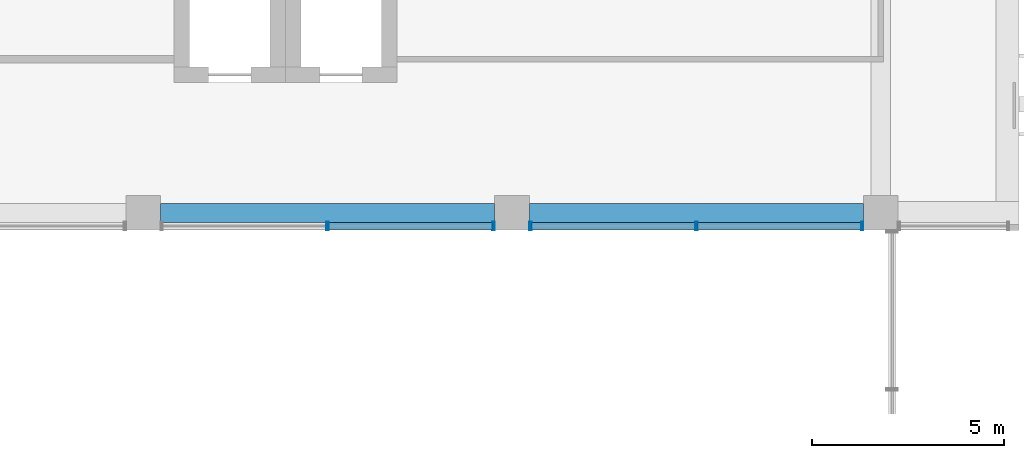
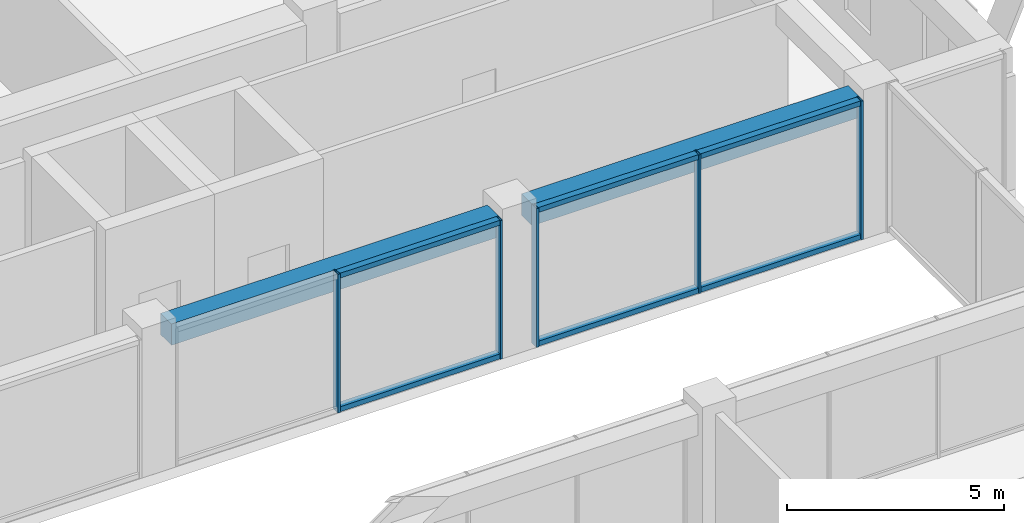
# One storey, part 18 of 37: 11 members, 2 beams, 2 elements without a shape of their own.
"""IFC4 building model written with IfcOpenShell, lengths in metres."""

from ifc_helpers import new_model, si_unit, direction, frame, origin, origin_2d, place, context, subcontext, project, spatial, rectangle, hollow_rectangle, extrude, material, layer, layer_set, material_profile, profile_set, type_object, element, aggregate, save


model = new_model("IFC4")

# Units and contexts
model_context = context("Model", 3, precision=1e-05, world=origin(), true_north=direction((0.0, 1.0)))
body_context = subcontext(model_context, "Body", "Model", "MODEL_VIEW")
ifc_project = project(units=[si_unit("LENGTHUNIT", "METRE"), si_unit("AREAUNIT", "SQUARE_METRE"), si_unit("VOLUMEUNIT", "CUBIC_METRE"), si_unit("PLANEANGLEUNIT", "RADIAN"), si_unit("MASSUNIT", "GRAM", prefix="KILO")], contexts=[model_context])

# Site, building, storey
site_placement = place(None, origin())
site = spatial("IfcSite", under=ifc_project, at=site_placement, CompositionType="ELEMENT")
building_placement = place(site_placement, origin())
building = spatial("IfcBuilding", under=site, at=building_placement, Name="Nzadi Deep Aquarium and Research Tower", CompositionType="ELEMENT")
storey_placement = place(building_placement, frame((0.0, 0.0, 61.300048828125)))
storey = spatial("IfcBuildingStorey", under=building, at=storey_placement, Name="L12", CompositionType="ELEMENT", Elevation=61.300048828125)

# Curtain wall, members
ifc_material_1 = material(Name="Aluminium unitised frame deep", Category="aluminium")
ifc_layer = layer(ifc_material_1, 0.22509765625)
ifc_layer_set = layer_set([ifc_layer], Name="Aluminium unitised frame deep")
curtain_wall_type = type_object("IfcCurtainWallType", Name="Curtain wall Unitised Deep 225", PredefinedType="NOTDEFINED", material=ifc_layer_set)
curtain_wall_1_placement = place(storey_placement, origin())
curtain_wall_1 = element("IfcCurtainWall", 1, at=curtain_wall_1_placement, inside=storey, type_object=curtain_wall_type, Name="Unitised curtain wall blade B south L12", PredefinedType="NOTDEFINED")
ifc_material_2 = material(Name="Aluminium unitised frame deep", Category="aluminium")
ifc_material_profile_1 = material_profile(ifc_material_2, hollow_rectangle(XDim=0.22509765625, YDim=0.06005859375, WallThickness=0.0048828125, at=origin_2d()))
ifc_profile_set_1 = profile_set([ifc_material_profile_1], Name="Aluminium unitised frame deep")
member_type_1 = type_object("IfcMemberType", Name="Mullion 60x225 Unitised Deep", PredefinedType="MULLION", material=ifc_profile_set_1)
member_1_placement = place(storey_placement, frame((33.60009765625, 27.262451171875, 0.0), z_axis=(0.0, 0.0, 1.0), x_axis=(0.0, 1.0, 0.0)))
member_1 = element("IfcMember", 2, at=member_1_placement, type_object=member_type_1, Name="CW155 mullion 2", PredefinedType="MULLION", context=body_context, shape_type="SweptSolid", body=[
    extrude(hollow_rectangle(XDim=0.22509765625, YDim=0.06005859375, WallThickness=0.0048828125, at=origin_2d()), origin(), (0.0, 0.0, 1.0), 3.89990234375),
])
member_2_placement = place(storey_placement, frame((37.919921875, 27.262451171875, 0.0), z_axis=(0.0, 0.0, 1.0), x_axis=(0.0, 1.0, 0.0)))
member_2 = element("IfcMember", 3, at=member_2_placement, type_object=member_type_1, Name="CW155 mullion 3", PredefinedType="MULLION", context=body_context, shape_type="SweptSolid", body=[
    extrude(hollow_rectangle(XDim=0.22509765625, YDim=0.06005859375, WallThickness=0.0048828125, at=origin_2d()), origin(), (0.0, 0.0, 1.0), 3.89990234375),
])

curtain_wall_2_placement = place(storey_placement, origin())
curtain_wall_2 = element("IfcCurtainWall", 4, at=curtain_wall_2_placement, inside=storey, type_object=curtain_wall_type, Name="Unitised curtain wall blade B south L12", PredefinedType="NOTDEFINED")
member_3_placement = place(storey_placement, frame((38.8798828125, 27.262451171875, 0.0), z_axis=(0.0, 0.0, 1.0), x_axis=(0.0, 1.0, 0.0)))
member_3 = element("IfcMember", 5, at=member_3_placement, type_object=member_type_1, Name="CW156 mullion 1", PredefinedType="MULLION", context=body_context, shape_type="SweptSolid", body=[
    extrude(hollow_rectangle(XDim=0.22509765625, YDim=0.06005859375, WallThickness=0.0048828125, at=origin_2d()), origin(), (0.0, 0.0, 1.0), 3.89990234375),
])
member_4_placement = place(storey_placement, frame((43.199951171875, 27.262451171875, 0.0), z_axis=(0.0, 0.0, 1.0), x_axis=(0.0, 1.0, 0.0)))
member_4 = element("IfcMember", 6, at=member_4_placement, type_object=member_type_1, Name="CW156 mullion 2", PredefinedType="MULLION", context=body_context, shape_type="SweptSolid", body=[
    extrude(hollow_rectangle(XDim=0.22509765625, YDim=0.06005859375, WallThickness=0.0048828125, at=origin_2d()), origin(), (0.0, 0.0, 1.0), 3.89990234375),
])
member_5_placement = place(storey_placement, frame((47.52001953125, 27.262451171875, 0.0), z_axis=(0.0, 0.0, 1.0), x_axis=(0.0, 1.0, 0.0)))
member_5 = element("IfcMember", 7, at=member_5_placement, type_object=member_type_1, Name="CW156 mullion 3", PredefinedType="MULLION", context=body_context, shape_type="SweptSolid", body=[
    extrude(hollow_rectangle(XDim=0.22509765625, YDim=0.06005859375, WallThickness=0.0048828125, at=origin_2d()), origin(), (0.0, 0.0, 1.0), 3.89990234375),
])

# Beams
ifc_material_3 = material(Name="Concrete C35/45", Category="concrete")
ifc_material_profile_2 = material_profile(ifc_material_3, rectangle(XDim=0.5, YDim=0.60009765625, at=origin_2d()))
ifc_profile_set_2 = profile_set([ifc_material_profile_2], Name="Concrete C35/45")
beam_type = type_object("IfcBeamType", Name="RC 500x600", PredefinedType="BEAM", material=ifc_profile_set_2)
for number, where, z_axis, x_axis, name in (
    (8, (29.25, 27.60009765625, 3.599853515625), (1.0, 0.0, 0.0), (0.0, 1.0, 0.0), "B-Z1-L12-L4-4"),
    (9, (38.85009765625, 27.60009765625, 3.599853515625), (1.0, 0.0, 0.0), (0.0, 1.0, 0.0), "B-Z1-L12-L4-5"),
):
    element("IfcBeam", number, at=place(storey_placement, frame(where, z_axis=z_axis, x_axis=x_axis)), inside=storey, type_object=beam_type, Name=name, PredefinedType="BEAM", context=body_context, shape_type="SweptSolid", body=[
        extrude(rectangle(XDim=0.5, YDim=0.60009765625, at=origin_2d()), origin(), (0.0, 0.0, 1.0), 8.699951171875),
    ])

# Member
ifc_material_4 = material(Name="Aluminium unitised frame deep", Category="aluminium")
ifc_material_profile_3 = material_profile(ifc_material_4, hollow_rectangle(XDim=0.179931640625, YDim=0.139892578125, WallThickness=0.0048828125, at=origin_2d()))
ifc_profile_set_3 = profile_set([ifc_material_profile_3], Name="Aluminium unitised frame deep")
member_type_2 = type_object("IfcMemberType", Name="Transom 140x180 Unitised Deep", PredefinedType="MULLION", material=ifc_profile_set_3)
member_6_placement = place(storey_placement, frame((33.6298828125, 27.262451171875, 0.070068359375), z_axis=(1.0, 0.0, 0.0), x_axis=(0.0, 1.0, 0.0)))
member_6 = element("IfcMember", 10, at=member_6_placement, type_object=member_type_2, Name="CW155 transom 2.1", PredefinedType="MULLION", context=body_context, shape_type="SweptSolid", body=[
    extrude(hollow_rectangle(XDim=0.179931640625, YDim=0.139892578125, WallThickness=0.0048828125, at=origin_2d()), origin(), (0.0, 0.0, 1.0), 4.260009765625),
])

member_7_placement = place(storey_placement, frame((33.6298828125, 27.262451171875, 3.829833984375), z_axis=(1.0, 0.0, 0.0), x_axis=(0.0, 1.0, 0.0)))
member_7 = element("IfcMember", 11, at=member_7_placement, type_object=member_type_2, Name="CW155 transom 2.2", PredefinedType="MULLION", context=body_context, shape_type="SweptSolid", body=[
    extrude(hollow_rectangle(XDim=0.179931640625, YDim=0.139892578125, WallThickness=0.0048828125, at=origin_2d()), origin(), (0.0, 0.0, 1.0), 4.260009765625),
])

aggregate(curtain_wall_1, [member_1, member_2, member_6, member_7])

member_8_placement = place(storey_placement, frame((38.909912109375, 27.262451171875, 0.070068359375), z_axis=(1.0, 0.0, 0.0), x_axis=(0.0, 1.0, 0.0)))
member_8 = element("IfcMember", 12, at=member_8_placement, type_object=member_type_2, Name="CW156 transom 1.1", PredefinedType="MULLION", context=body_context, shape_type="SweptSolid", body=[
    extrude(hollow_rectangle(XDim=0.179931640625, YDim=0.139892578125, WallThickness=0.0048828125, at=origin_2d()), origin(), (0.0, 0.0, 1.0), 4.260009765625),
])

member_9_placement = place(storey_placement, frame((38.909912109375, 27.262451171875, 3.829833984375), z_axis=(1.0, 0.0, 0.0), x_axis=(0.0, 1.0, 0.0)))
member_9 = element("IfcMember", 13, at=member_9_placement, type_object=member_type_2, Name="CW156 transom 1.2", PredefinedType="MULLION", context=body_context, shape_type="SweptSolid", body=[
    extrude(hollow_rectangle(XDim=0.179931640625, YDim=0.139892578125, WallThickness=0.0048828125, at=origin_2d()), origin(), (0.0, 0.0, 1.0), 4.260009765625),
])

member_10_placement = place(storey_placement, frame((43.22998046875, 27.262451171875, 0.070068359375), z_axis=(1.0, 0.0, 0.0), x_axis=(0.0, 1.0, 0.0)))
member_10 = element("IfcMember", 14, at=member_10_placement, type_object=member_type_2, Name="CW156 transom 2.1", PredefinedType="MULLION", context=body_context, shape_type="SweptSolid", body=[
    extrude(hollow_rectangle(XDim=0.179931640625, YDim=0.139892578125, WallThickness=0.0048828125, at=origin_2d()), origin(), (0.0, 0.0, 1.0), 4.260009765625),
])

member_11_placement = place(storey_placement, frame((43.22998046875, 27.262451171875, 3.829833984375), z_axis=(1.0, 0.0, 0.0), x_axis=(0.0, 1.0, 0.0)))
member_11 = element("IfcMember", 15, at=member_11_placement, type_object=member_type_2, Name="CW156 transom 2.2", PredefinedType="MULLION", context=body_context, shape_type="SweptSolid", body=[
    extrude(hollow_rectangle(XDim=0.179931640625, YDim=0.139892578125, WallThickness=0.0048828125, at=origin_2d()), origin(), (0.0, 0.0, 1.0), 4.260009765625),
])

aggregate(curtain_wall_2, [member_3, member_4, member_5, member_8, member_9, member_10, member_11])

save(model, "model.ifc")
